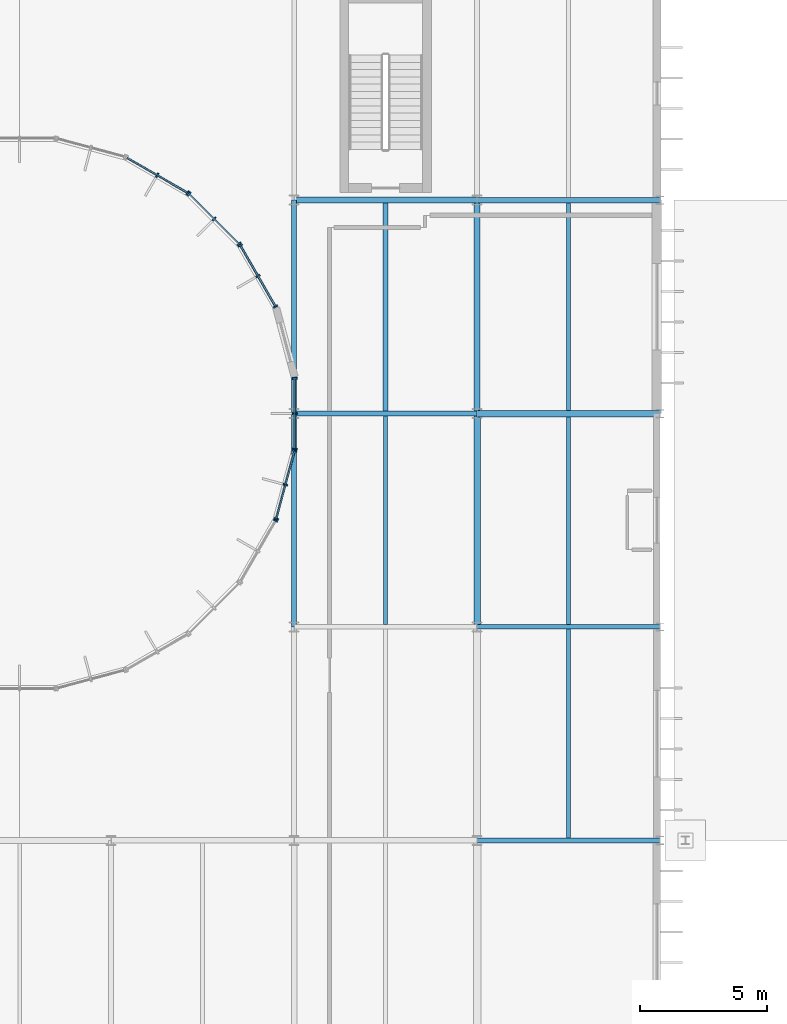
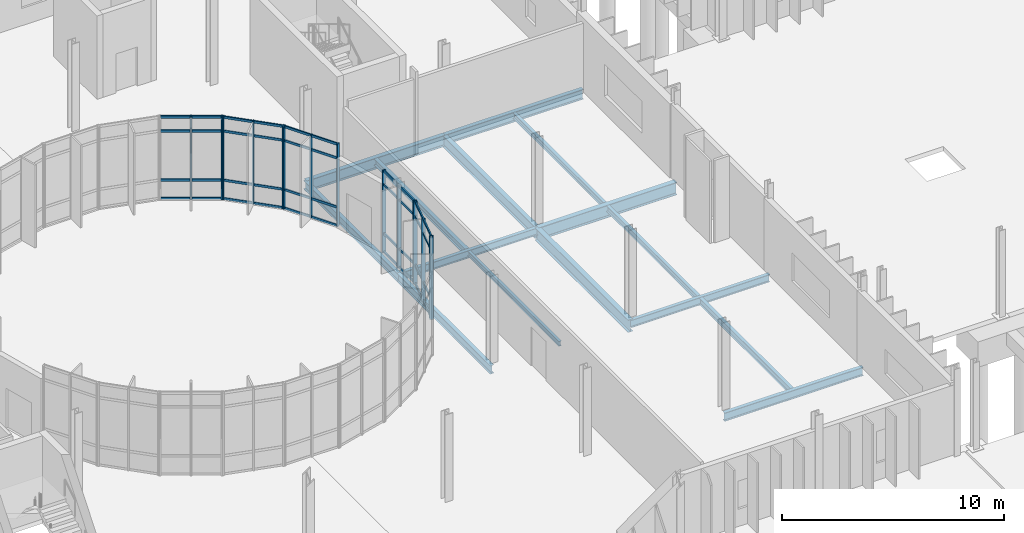
# One storey, part 42 of 118: 35 members, 15 beams, 6 elements without a shape of their own.
"""IFC4 building model written with IfcOpenShell, lengths in metres."""

from ifc_helpers import new_model, si_unit, direction, frame, origin, origin_2d, place, context, subcontext, project, spatial, rectangle, i_section, extrude, material, material_profile, profile_set, type_object, element, aggregate, save


model = new_model("IFC4")

# Units and contexts
model_context = context("Model", 3, precision=1e-05, world=origin(), true_north=direction((0.0, 1.0)))
body_context = subcontext(model_context, "Body", "Model", "MODEL_VIEW")
ifc_project = project(units=[si_unit("LENGTHUNIT", "METRE"), si_unit("AREAUNIT", "SQUARE_METRE"), si_unit("VOLUMEUNIT", "CUBIC_METRE"), si_unit("PLANEANGLEUNIT", "RADIAN"), si_unit("MASSUNIT", "GRAM", prefix="KILO")], contexts=[model_context])

# Site, building, storey
site_placement = place(None, origin())
site = spatial("IfcSite", under=ifc_project, at=site_placement, CompositionType="ELEMENT")
building_placement = place(site_placement, origin())
building = spatial("IfcBuilding", under=site, at=building_placement, Name="Qelthora Terrace Specialist Clinic", CompositionType="ELEMENT")
storey_placement = place(building_placement, origin())
storey = spatial("IfcBuildingStorey", under=building, at=storey_placement, Name="L00", CompositionType="ELEMENT", Elevation=0.0)

# Beams
ifc_material_1 = material(Name="Steel S355", Category="steel")
ifc_material_profile_1 = material_profile(ifc_material_1, i_section(OverallWidth=0.178955078125, OverallDepth=0.409912109375, WebThickness=0.0087890625, FlangeThickness=0.014404296875, FilletRadius=0.011962890625, at=origin_2d()), Name="W410X67")
ifc_profile_set_1 = profile_set([ifc_material_profile_1], Name="Steel S355")
beam_type_1 = type_object("IfcBeamType", Name="BM-W410X67", PredefinedType="BEAM", material=ifc_profile_set_1)
beam_1_placement = place(storey_placement, frame((36.0, 84.0, -0.455078125), z_axis=(1.0, 0.0, 0.0), x_axis=(0.0, 1.0, 0.0)))
element("IfcBeam", 1, at=beam_1_placement, inside=storey, type_object=beam_type_1, Name="Girder BMX-L00-0056", PredefinedType="BEAM", context=body_context, shape_type="SweptSolid", body=[
    extrude(i_section(OverallWidth=0.178955078125, OverallDepth=0.409912109375, WebThickness=0.0087890625, FlangeThickness=0.014404296875, FilletRadius=0.011962890625, at=origin_2d()), origin(), (0.0, 0.0, 1.0), 7.199951171875),
])
ifc_material_profile_2 = material_profile(ifc_material_1, i_section(OverallWidth=0.179931640625, OverallDepth=0.4130859375, WebThickness=0.009765625, FlangeThickness=0.01611328125, FilletRadius=0.011962890625, at=origin_2d()), Name="W410X75")
ifc_profile_set_2 = profile_set([ifc_material_profile_2], Name="Steel S355")
beam_type_2 = type_object("IfcBeamType", Name="BM-W410X75", PredefinedType="BEAM", material=ifc_profile_set_2)
beam_2_placement = place(storey_placement, frame((43.199951171875, 75.60009765625, -0.45654296875), z_axis=(1.0, 0.0, 0.0), x_axis=(0.0, 1.0, 0.0)))
element("IfcBeam", 2, at=beam_2_placement, inside=storey, type_object=beam_type_2, Name="Girder BMX-L00-0053", PredefinedType="BEAM", context=body_context, shape_type="SweptSolid", body=[
    extrude(i_section(OverallWidth=0.179931640625, OverallDepth=0.4130859375, WebThickness=0.009765625, FlangeThickness=0.01611328125, FilletRadius=0.011962890625, at=origin_2d()), origin(), (0.0, 0.0, 1.0), 7.199951171875),
])
ifc_material_profile_3 = material_profile(ifc_material_1, i_section(OverallWidth=0.19091796875, OverallDepth=0.4599609375, WebThickness=0.010009765625, FlangeThickness=0.01611328125, FilletRadius=0.012939453125, at=origin_2d()), Name="W460X82")
ifc_profile_set_3 = profile_set([ifc_material_profile_3], Name="Steel S355")
beam_type_3 = type_object("IfcBeamType", Name="BM-W460X82", PredefinedType="BEAM", material=ifc_profile_set_3)
beam_3_placement = place(storey_placement, frame((36.0, 84.0, -0.47998046875), z_axis=(0.0, 1.0, 0.0), x_axis=(-1.0, 0.0, 0.0)))
element("IfcBeam", 3, at=beam_3_placement, inside=storey, type_object=beam_type_3, Name="Girder BMY-L00-0118", PredefinedType="BEAM", context=body_context, shape_type="SweptSolid", body=[
    extrude(i_section(OverallWidth=0.19091796875, OverallDepth=0.4599609375, WebThickness=0.010009765625, FlangeThickness=0.01611328125, FilletRadius=0.012939453125, at=origin_2d()), origin(), (0.0, 0.0, 1.0), 8.39990234375),
])
ifc_material_profile_4 = material_profile(ifc_material_1, i_section(OverallWidth=0.193115234375, OverallDepth=0.466064453125, WebThickness=0.011474609375, FlangeThickness=0.01904296875, FilletRadius=0.012939453125, at=origin_2d()), Name="W460X97")
ifc_profile_set_4 = profile_set([ifc_material_profile_4], Name="Steel S355")
beam_type_4 = type_object("IfcBeamType", Name="BM-W460X97", PredefinedType="BEAM", material=ifc_profile_set_4)
beam_4_placement = place(storey_placement, frame((43.199951171875, 67.199951171875, -0.48291015625), z_axis=(1.0, 0.0, 0.0), x_axis=(0.0, 1.0, 0.0)))
element("IfcBeam", 4, at=beam_4_placement, inside=storey, type_object=beam_type_4, Name="Girder BMX-L00-0049", PredefinedType="BEAM", context=body_context, shape_type="SweptSolid", body=[
    extrude(i_section(OverallWidth=0.193115234375, OverallDepth=0.466064453125, WebThickness=0.011474609375, FlangeThickness=0.01904296875, FilletRadius=0.012939453125, at=origin_2d()), origin(), (0.0, 0.0, 1.0), 7.199951171875),
])
beam_5_placement = place(storey_placement, frame((36.0, 75.60009765625, -0.48291015625), z_axis=(0.0, 1.0, 0.0), x_axis=(-1.0, 0.0, 0.0)))
element("IfcBeam", 5, at=beam_5_placement, inside=storey, type_object=beam_type_4, Name="Girder BMY-L00-0117", PredefinedType="BEAM", context=body_context, shape_type="SweptSolid", body=[
    extrude(i_section(OverallWidth=0.193115234375, OverallDepth=0.466064453125, WebThickness=0.011474609375, FlangeThickness=0.01904296875, FilletRadius=0.012939453125, at=origin_2d()), origin(), (0.0, 0.0, 1.0), 8.39990234375),
])
ifc_material_profile_5 = material_profile(ifc_material_1, i_section(OverallWidth=0.2119140625, OverallDepth=0.5439453125, WebThickness=0.01318359375, FlangeThickness=0.021240234375, FilletRadius=0.013916015625, at=origin_2d()), Name="W530X123")
ifc_profile_set_5 = profile_set([ifc_material_profile_5], Name="Steel S355")
beam_type_5 = type_object("IfcBeamType", Name="BM-W530X123", PredefinedType="BEAM", material=ifc_profile_set_5)
beam_6_placement = place(storey_placement, frame((43.199951171875, 92.39990234375, -0.52197265625), z_axis=(1.0, 0.0, 0.0), x_axis=(0.0, 1.0, 0.0)))
element("IfcBeam", 6, at=beam_6_placement, inside=storey, type_object=beam_type_5, Name="Girder BMX-L00-0061", PredefinedType="BEAM", context=body_context, shape_type="SweptSolid", body=[
    extrude(i_section(OverallWidth=0.2119140625, OverallDepth=0.5439453125, WebThickness=0.01318359375, FlangeThickness=0.021240234375, FilletRadius=0.013916015625, at=origin_2d()), origin(), (0.0, 0.0, 1.0), 7.199951171875),
])
ifc_material_profile_6 = material_profile(ifc_material_1, i_section(OverallWidth=0.22900390625, OverallDepth=0.612060546875, WebThickness=0.011962890625, FlangeThickness=0.01953125, FilletRadius=0.01611328125, at=origin_2d()), Name="W610X125")
ifc_profile_set_6 = profile_set([ifc_material_profile_6], Name="Steel S355")
beam_type_6 = type_object("IfcBeamType", Name="BM-W610X125", PredefinedType="BEAM", material=ifc_profile_set_6)
beam_7_placement = place(storey_placement, frame((36.0, 92.39990234375, -0.555908203125), z_axis=(1.0, 0.0, 0.0), x_axis=(0.0, 1.0, 0.0)))
element("IfcBeam", 7, at=beam_7_placement, inside=storey, type_object=beam_type_6, Name="Girder BMX-L00-0060", PredefinedType="BEAM", context=body_context, shape_type="SweptSolid", body=[
    extrude(i_section(OverallWidth=0.22900390625, OverallDepth=0.612060546875, WebThickness=0.011962890625, FlangeThickness=0.01953125, FilletRadius=0.01611328125, at=origin_2d()), origin(), (0.0, 0.0, 1.0), 7.199951171875),
])
ifc_material_profile_7 = material_profile(ifc_material_1, i_section(OverallWidth=0.22998046875, OverallDepth=0.616943359375, WebThickness=0.01318359375, FlangeThickness=0.022216796875, FilletRadius=0.01611328125, at=origin_2d()), Name="W610X140")
ifc_profile_set_7 = profile_set([ifc_material_profile_7], Name="Steel S355")
beam_type_7 = type_object("IfcBeamType", Name="BM-W610X140", PredefinedType="BEAM", material=ifc_profile_set_7)
beam_8_placement = place(storey_placement, frame((43.199951171875, 84.0, -0.55859375), z_axis=(0.0, 1.0, 0.0), x_axis=(-1.0, 0.0, 0.0)))
element("IfcBeam", 8, at=beam_8_placement, inside=storey, type_object=beam_type_7, Name="Girder BMY-L00-0124", PredefinedType="BEAM", context=body_context, shape_type="SweptSolid", body=[
    extrude(i_section(OverallWidth=0.22998046875, OverallDepth=0.616943359375, WebThickness=0.01318359375, FlangeThickness=0.022216796875, FilletRadius=0.01611328125, at=origin_2d()), origin(), (0.0, 0.0, 1.0), 8.39990234375),
])
ifc_material_profile_8 = material_profile(ifc_material_1, i_section(OverallWidth=0.256103515625, OverallDepth=0.693115234375, WebThickness=0.014404296875, FlangeThickness=0.023681640625, FilletRadius=0.01806640625, at=origin_2d()), Name="W690X170")
ifc_profile_set_8 = profile_set([ifc_material_profile_8], Name="Steel S355")
beam_type_8 = type_object("IfcBeamType", Name="BM-W690X170", PredefinedType="BEAM", material=ifc_profile_set_8)
beam_9_placement = place(storey_placement, frame((43.199951171875, 84.0, -0.596435546875), z_axis=(1.0, 0.0, 0.0), x_axis=(0.0, 1.0, 0.0)))
element("IfcBeam", 9, at=beam_9_placement, inside=storey, type_object=beam_type_8, Name="Girder BMX-L00-0057", PredefinedType="BEAM", context=body_context, shape_type="SweptSolid", body=[
    extrude(i_section(OverallWidth=0.256103515625, OverallDepth=0.693115234375, WebThickness=0.014404296875, FlangeThickness=0.023681640625, FilletRadius=0.01806640625, at=origin_2d()), origin(), (0.0, 0.0, 1.0), 7.199951171875),
])
beam_10_placement = place(storey_placement, frame((43.199951171875, 75.60009765625, -0.596435546875), z_axis=(0.0, 1.0, 0.0), x_axis=(-1.0, 0.0, 0.0)))
element("IfcBeam", 10, at=beam_10_placement, inside=storey, type_object=beam_type_8, Name="Girder BMY-L00-0123", PredefinedType="BEAM", context=body_context, shape_type="SweptSolid", body=[
    extrude(i_section(OverallWidth=0.256103515625, OverallDepth=0.693115234375, WebThickness=0.014404296875, FlangeThickness=0.023681640625, FilletRadius=0.01806640625, at=origin_2d()), origin(), (0.0, 0.0, 1.0), 8.39990234375),
])

# Curtain wall, members
ifc_material_2 = material(Name="Aluminium anodized bronze", Category="aluminium")
curtain_wall_type = type_object("IfcCurtainWallType", Name="CW-CRTW-L00", PredefinedType="NOTDEFINED", material=ifc_material_2)
curtain_wall_1_placement = place(storey_placement, origin())
curtain_wall_1 = element("IfcCurtainWall", 11, at=curtain_wall_1_placement, inside=storey, type_object=curtain_wall_type, Name="Curtain wall CW-CW-L00-02", PredefinedType="NOTDEFINED")
ifc_material_profile_9 = material_profile(ifc_material_2, rectangle(XDim=0.06494140625, YDim=0.179931640625, at=origin_2d()), Name="CWM65X180")
ifc_profile_set_9 = profile_set([ifc_material_profile_9], Name="Aluminium anodized bronze")
member_type_1 = type_object("IfcMemberType", Name="CWM-65X180", PredefinedType="MULLION", material=ifc_profile_set_9)
member_1_placement = place(storey_placement, frame((35.271728515625, 88.210205078125, 0.0), z_axis=(0.0, 0.0, 1.0), x_axis=(-0.499999597971, 0.866025635896, 0.0)))
member_1 = element("IfcMember", 12, at=member_1_placement, type_object=member_type_1, Name="CW-CW-L00-02 mullion 1", PredefinedType="MULLION", context=body_context, shape_type="SweptSolid", body=[
    extrude(rectangle(XDim=0.06494140625, YDim=0.179931640625, at=origin_2d()), origin(), (0.0, 0.0, 1.0), 4.544921875),
])
member_2_placement = place(storey_placement, frame((34.576904296875, 89.413818359375, 0.0), z_axis=(0.0, 0.0, 1.0), x_axis=(-0.499999597971, 0.866025635896, 0.0)))
member_2 = element("IfcMember", 13, at=member_2_placement, type_object=member_type_1, Name="CW-CW-L00-02 mullion 2", PredefinedType="MULLION", context=body_context, shape_type="SweptSolid", body=[
    extrude(rectangle(XDim=0.06494140625, YDim=0.179931640625, at=origin_2d()), origin(), (0.0, 0.0, 1.0), 4.544921875),
])
member_3_placement = place(storey_placement, frame((33.882080078125, 90.6171875, 0.0), z_axis=(0.0, 0.0, 1.0), x_axis=(-0.499999597971, 0.866025635896, 0.0)))
member_3 = element("IfcMember", 14, at=member_3_placement, type_object=member_type_1, Name="CW-CW-L00-02 mullion 3", PredefinedType="MULLION", context=body_context, shape_type="SweptSolid", body=[
    extrude(rectangle(XDim=0.06494140625, YDim=0.179931640625, at=origin_2d()), origin(), (0.0, 0.0, 1.0), 4.544921875),
])

curtain_wall_2_placement = place(storey_placement, origin())
curtain_wall_2 = element("IfcCurtainWall", 15, at=curtain_wall_2_placement, inside=storey, type_object=curtain_wall_type, Name="Curtain wall CW-CW-L00-03", PredefinedType="NOTDEFINED")
member_4_placement = place(storey_placement, frame((33.8388671875, 90.673583984375, 0.0), z_axis=(0.0, 0.0, 1.0), x_axis=(-0.707106781187, 0.707106781187, 0.0)))
member_4 = element("IfcMember", 16, at=member_4_placement, type_object=member_type_1, Name="CW-CW-L00-03 mullion 1", PredefinedType="MULLION", context=body_context, shape_type="SweptSolid", body=[
    extrude(rectangle(XDim=0.06494140625, YDim=0.179931640625, at=origin_2d()), origin(), (0.0, 0.0, 1.0), 4.544921875),
])
member_5_placement = place(storey_placement, frame((32.856201171875, 91.65625, 0.0), z_axis=(0.0, 0.0, 1.0), x_axis=(-0.707106781187, 0.707106781187, 0.0)))
member_5 = element("IfcMember", 17, at=member_5_placement, type_object=member_type_1, Name="CW-CW-L00-03 mullion 2", PredefinedType="MULLION", context=body_context, shape_type="SweptSolid", body=[
    extrude(rectangle(XDim=0.06494140625, YDim=0.179931640625, at=origin_2d()), origin(), (0.0, 0.0, 1.0), 4.544921875),
])
member_6_placement = place(storey_placement, frame((31.87353515625, 92.638916015625, 0.0), z_axis=(0.0, 0.0, 1.0), x_axis=(-0.707106781187, 0.707106781187, 0.0)))
member_6 = element("IfcMember", 18, at=member_6_placement, type_object=member_type_1, Name="CW-CW-L00-03 mullion 3", PredefinedType="MULLION", context=body_context, shape_type="SweptSolid", body=[
    extrude(rectangle(XDim=0.06494140625, YDim=0.179931640625, at=origin_2d()), origin(), (0.0, 0.0, 1.0), 4.544921875),
])

curtain_wall_3_placement = place(storey_placement, origin())
curtain_wall_3 = element("IfcCurtainWall", 19, at=curtain_wall_3_placement, inside=storey, type_object=curtain_wall_type, Name="Curtain wall CW-CW-L00-04", PredefinedType="NOTDEFINED")
member_7_placement = place(storey_placement, frame((31.8173828125, 92.68212890625, 0.0), z_axis=(0.0, 0.0, 1.0), x_axis=(-0.866025635896, 0.499999597971, 0.0)))
member_7 = element("IfcMember", 20, at=member_7_placement, type_object=member_type_1, Name="CW-CW-L00-04 mullion 1", PredefinedType="MULLION", context=body_context, shape_type="SweptSolid", body=[
    extrude(rectangle(XDim=0.06494140625, YDim=0.179931640625, at=origin_2d()), origin(), (0.0, 0.0, 1.0), 4.544921875),
])
member_8_placement = place(storey_placement, frame((30.61376953125, 93.376953125, 0.0), z_axis=(0.0, 0.0, 1.0), x_axis=(-0.866025635896, 0.499999597971, 0.0)))
member_8 = element("IfcMember", 21, at=member_8_placement, type_object=member_type_1, Name="CW-CW-L00-04 mullion 2", PredefinedType="MULLION", context=body_context, shape_type="SweptSolid", body=[
    extrude(rectangle(XDim=0.06494140625, YDim=0.179931640625, at=origin_2d()), origin(), (0.0, 0.0, 1.0), 4.544921875),
])

# Curtain wall, member
curtain_wall_4_placement = place(storey_placement, origin())
curtain_wall_4 = element("IfcCurtainWall", 22, at=curtain_wall_4_placement, inside=storey, type_object=curtain_wall_type, Name="Curtain wall CW-CW-L00-22", PredefinedType="NOTDEFINED")
member_9_placement = place(storey_placement, frame((35.271728515625, 79.789794921875, 0.0), z_axis=(0.0, 0.0, 1.0), x_axis=(0.499999597971, 0.866025635896, 0.0)))
member_9 = element("IfcMember", 23, at=member_9_placement, type_object=member_type_1, Name="CW-CW-L00-22 mullion 3", PredefinedType="MULLION", context=body_context, shape_type="SweptSolid", body=[
    extrude(rectangle(XDim=0.06494140625, YDim=0.179931640625, at=origin_2d()), origin(), (0.0, 0.0, 1.0), 4.544921875),
])
aggregate(curtain_wall_4, [member_9])

# Curtain wall, members
curtain_wall_5_placement = place(storey_placement, origin())
curtain_wall_5 = element("IfcCurtainWall", 24, at=curtain_wall_5_placement, inside=storey, type_object=curtain_wall_type, Name="Curtain wall CW-CW-L00-23", PredefinedType="NOTDEFINED")
member_10_placement = place(storey_placement, frame((35.299072265625, 79.855224609375, 0.0), z_axis=(0.0, 0.0, 1.0), x_axis=(0.258820356987, 0.96592547477, 0.0)))
member_10 = element("IfcMember", 25, at=member_10_placement, type_object=member_type_1, Name="CW-CW-L00-23 mullion 1", PredefinedType="MULLION", context=body_context, shape_type="SweptSolid", body=[
    extrude(rectangle(XDim=0.06494140625, YDim=0.179931640625, at=origin_2d()), origin(), (0.0, 0.0, 1.0), 4.544921875),
])
member_11_placement = place(storey_placement, frame((35.65869140625, 81.197509765625, 0.0), z_axis=(0.0, 0.0, 1.0), x_axis=(0.258820356987, 0.96592547477, 0.0)))
member_11 = element("IfcMember", 26, at=member_11_placement, type_object=member_type_1, Name="CW-CW-L00-23 mullion 2", PredefinedType="MULLION", context=body_context, shape_type="SweptSolid", body=[
    extrude(rectangle(XDim=0.06494140625, YDim=0.179931640625, at=origin_2d()), origin(), (0.0, 0.0, 1.0), 4.544921875),
])
member_12_placement = place(storey_placement, frame((36.018310546875, 82.5400390625, 0.0), z_axis=(0.0, 0.0, 1.0), x_axis=(0.258820356987, 0.96592547477, 0.0)))
member_12 = element("IfcMember", 27, at=member_12_placement, type_object=member_type_1, Name="CW-CW-L00-23 mullion 3", PredefinedType="MULLION", context=body_context, shape_type="SweptSolid", body=[
    extrude(rectangle(XDim=0.06494140625, YDim=0.179931640625, at=origin_2d()), origin(), (0.0, 0.0, 1.0), 4.544921875),
])

curtain_wall_6_placement = place(storey_placement, origin())
curtain_wall_6 = element("IfcCurtainWall", 28, at=curtain_wall_6_placement, inside=storey, type_object=curtain_wall_type, Name="Curtain wall CW-CW-L00-24", PredefinedType="NOTDEFINED")
member_13_placement = place(storey_placement, frame((36.027587890625, 82.6103515625, 0.0), z_axis=(0.0, 0.0, 1.0), x_axis=(0.0, 1.0, 0.0)))
member_13 = element("IfcMember", 29, at=member_13_placement, type_object=member_type_1, Name="CW-CW-L00-24 mullion 1", PredefinedType="MULLION", context=body_context, shape_type="SweptSolid", body=[
    extrude(rectangle(XDim=0.06494140625, YDim=0.179931640625, at=origin_2d()), origin(), (0.0, 0.0, 1.0), 4.544921875),
])
member_14_placement = place(storey_placement, frame((36.027587890625, 84.0, 0.0), z_axis=(0.0, 0.0, 1.0), x_axis=(0.0, 1.0, 0.0)))
member_14 = element("IfcMember", 30, at=member_14_placement, type_object=member_type_1, Name="CW-CW-L00-24 mullion 2", PredefinedType="MULLION", context=body_context, shape_type="SweptSolid", body=[
    extrude(rectangle(XDim=0.06494140625, YDim=0.179931640625, at=origin_2d()), origin(), (0.0, 0.0, 1.0), 4.544921875),
])
member_15_placement = place(storey_placement, frame((36.027587890625, 85.3896484375, 0.0), z_axis=(0.0, 0.0, 1.0), x_axis=(0.0, 1.0, 0.0)))
member_15 = element("IfcMember", 31, at=member_15_placement, type_object=member_type_1, Name="CW-CW-L00-24 mullion 3", PredefinedType="MULLION", context=body_context, shape_type="SweptSolid", body=[
    extrude(rectangle(XDim=0.06494140625, YDim=0.179931640625, at=origin_2d()), origin(), (0.0, 0.0, 1.0), 4.544921875),
])

# Member
ifc_material_profile_10 = material_profile(ifc_material_2, rectangle(XDim=0.06494140625, YDim=0.1298828125, at=origin_2d()), Name="CWT65X130")
ifc_profile_set_10 = profile_set([ifc_material_profile_10], Name="Aluminium anodized bronze")
member_type_2 = type_object("IfcMemberType", Name="CWT-65X130", PredefinedType="USERDEFINED", material=ifc_profile_set_10)
member_16_placement = place(storey_placement, frame((35.26171875, 88.2275390625, 0.0400390625), z_axis=(-0.499953886166, 0.866052025982, 0.0), x_axis=(-0.866052025982, -0.499953886166, 0.0)))
member_16 = element("IfcMember", 32, at=member_16_placement, type_object=member_type_2, Name="CW-CW-L00-02 transom 1", ObjectType="TRANSOM", PredefinedType="USERDEFINED", context=body_context, shape_type="SweptSolid", body=[
    extrude(rectangle(XDim=0.06494140625, YDim=0.1298828125, at=origin_2d()), origin(), (0.0, 0.0, 1.0), 2.739501953125),
])

member_17_placement = place(storey_placement, frame((35.26171875, 88.2275390625, 1.050048828125), z_axis=(-0.499953886166, 0.866052025982, 0.0), x_axis=(-0.866052025982, -0.499953886166, 0.0)))
member_17 = element("IfcMember", 33, at=member_17_placement, type_object=member_type_2, Name="CW-CW-L00-02 transom 2", ObjectType="TRANSOM", PredefinedType="USERDEFINED", context=body_context, shape_type="SweptSolid", body=[
    extrude(rectangle(XDim=0.06494140625, YDim=0.1298828125, at=origin_2d()), origin(), (0.0, 0.0, 1.0), 2.739501953125),
])

member_18_placement = place(storey_placement, frame((35.26171875, 88.2275390625, 3.7451171875), z_axis=(-0.499953886166, 0.866052025982, 0.0), x_axis=(-0.866052025982, -0.499953886166, 0.0)))
member_18 = element("IfcMember", 34, at=member_18_placement, type_object=member_type_2, Name="CW-CW-L00-02 transom 3", ObjectType="TRANSOM", PredefinedType="USERDEFINED", context=body_context, shape_type="SweptSolid", body=[
    extrude(rectangle(XDim=0.06494140625, YDim=0.1298828125, at=origin_2d()), origin(), (0.0, 0.0, 1.0), 2.739501953125),
])

member_19_placement = place(storey_placement, frame((35.26171875, 88.2275390625, 4.5048828125), z_axis=(-0.499953886166, 0.866052025982, 0.0), x_axis=(-0.866052025982, -0.499953886166, 0.0)))
member_19 = element("IfcMember", 35, at=member_19_placement, type_object=member_type_2, Name="CW-CW-L00-02 transom 4", ObjectType="TRANSOM", PredefinedType="USERDEFINED", context=body_context, shape_type="SweptSolid", body=[
    extrude(rectangle(XDim=0.06494140625, YDim=0.1298828125, at=origin_2d()), origin(), (0.0, 0.0, 1.0), 2.739501953125),
])

aggregate(curtain_wall_1, [member_1, member_2, member_3, member_16, member_17, member_18, member_19])

member_20_placement = place(storey_placement, frame((33.82470703125, 90.687744140625, 0.0400390625), z_axis=(-0.707106781187, 0.707106781187, 0.0), x_axis=(-0.707106781187, -0.707106781187, 0.0)))
member_20 = element("IfcMember", 36, at=member_20_placement, type_object=member_type_2, Name="CW-CW-L00-03 transom 1", ObjectType="TRANSOM", PredefinedType="USERDEFINED", context=body_context, shape_type="SweptSolid", body=[
    extrude(rectangle(XDim=0.06494140625, YDim=0.1298828125, at=origin_2d()), origin(), (0.0, 0.0, 1.0), 2.7392578125),
])

member_21_placement = place(storey_placement, frame((33.82470703125, 90.687744140625, 1.050048828125), z_axis=(-0.707106781187, 0.707106781187, 0.0), x_axis=(-0.707106781187, -0.707106781187, 0.0)))
member_21 = element("IfcMember", 37, at=member_21_placement, type_object=member_type_2, Name="CW-CW-L00-03 transom 2", ObjectType="TRANSOM", PredefinedType="USERDEFINED", context=body_context, shape_type="SweptSolid", body=[
    extrude(rectangle(XDim=0.06494140625, YDim=0.1298828125, at=origin_2d()), origin(), (0.0, 0.0, 1.0), 2.7392578125),
])

member_22_placement = place(storey_placement, frame((33.82470703125, 90.687744140625, 3.7451171875), z_axis=(-0.707106781187, 0.707106781187, 0.0), x_axis=(-0.707106781187, -0.707106781187, 0.0)))
member_22 = element("IfcMember", 38, at=member_22_placement, type_object=member_type_2, Name="CW-CW-L00-03 transom 3", ObjectType="TRANSOM", PredefinedType="USERDEFINED", context=body_context, shape_type="SweptSolid", body=[
    extrude(rectangle(XDim=0.06494140625, YDim=0.1298828125, at=origin_2d()), origin(), (0.0, 0.0, 1.0), 2.7392578125),
])

member_23_placement = place(storey_placement, frame((33.82470703125, 90.687744140625, 4.5048828125), z_axis=(-0.707106781187, 0.707106781187, 0.0), x_axis=(-0.707106781187, -0.707106781187, 0.0)))
member_23 = element("IfcMember", 39, at=member_23_placement, type_object=member_type_2, Name="CW-CW-L00-03 transom 4", ObjectType="TRANSOM", PredefinedType="USERDEFINED", context=body_context, shape_type="SweptSolid", body=[
    extrude(rectangle(XDim=0.06494140625, YDim=0.1298828125, at=origin_2d()), origin(), (0.0, 0.0, 1.0), 2.7392578125),
])

aggregate(curtain_wall_2, [member_4, member_5, member_6, member_20, member_21, member_22, member_23])

member_24_placement = place(storey_placement, frame((31.800048828125, 92.692138671875, 0.0400390625), z_axis=(-0.866029747927, 0.499992475648, 0.0), x_axis=(-0.499992475648, -0.866029747927, 0.0)))
member_24 = element("IfcMember", 40, at=member_24_placement, type_object=member_type_2, Name="CW-CW-L00-04 transom 1", ObjectType="TRANSOM", PredefinedType="USERDEFINED", context=body_context, shape_type="SweptSolid", body=[
    extrude(rectangle(XDim=0.06494140625, YDim=0.1298828125, at=origin_2d()), origin(), (0.0, 0.0, 1.0), 2.7392578125),
])

member_25_placement = place(storey_placement, frame((31.800048828125, 92.692138671875, 1.050048828125), z_axis=(-0.866029747927, 0.499992475648, 0.0), x_axis=(-0.499992475648, -0.866029747927, 0.0)))
member_25 = element("IfcMember", 41, at=member_25_placement, type_object=member_type_2, Name="CW-CW-L00-04 transom 2", ObjectType="TRANSOM", PredefinedType="USERDEFINED", context=body_context, shape_type="SweptSolid", body=[
    extrude(rectangle(XDim=0.06494140625, YDim=0.1298828125, at=origin_2d()), origin(), (0.0, 0.0, 1.0), 2.7392578125),
])

member_26_placement = place(storey_placement, frame((31.800048828125, 92.692138671875, 3.7451171875), z_axis=(-0.866029747927, 0.499992475648, 0.0), x_axis=(-0.499992475648, -0.866029747927, 0.0)))
member_26 = element("IfcMember", 42, at=member_26_placement, type_object=member_type_2, Name="CW-CW-L00-04 transom 3", ObjectType="TRANSOM", PredefinedType="USERDEFINED", context=body_context, shape_type="SweptSolid", body=[
    extrude(rectangle(XDim=0.06494140625, YDim=0.1298828125, at=origin_2d()), origin(), (0.0, 0.0, 1.0), 2.7392578125),
])

member_27_placement = place(storey_placement, frame((31.800048828125, 92.692138671875, 4.5048828125), z_axis=(-0.866029747927, 0.499992475648, 0.0), x_axis=(-0.499992475648, -0.866029747927, 0.0)))
member_27 = element("IfcMember", 43, at=member_27_placement, type_object=member_type_2, Name="CW-CW-L00-04 transom 4", ObjectType="TRANSOM", PredefinedType="USERDEFINED", context=body_context, shape_type="SweptSolid", body=[
    extrude(rectangle(XDim=0.06494140625, YDim=0.1298828125, at=origin_2d()), origin(), (0.0, 0.0, 1.0), 2.7392578125),
])

aggregate(curtain_wall_3, [member_7, member_8, member_24, member_25, member_26, member_27])

member_28_placement = place(storey_placement, frame((35.30419921875, 79.87451171875, 0.0400390625), z_axis=(0.258816272122, 0.965926569303, 0.0), x_axis=(-0.965926569303, 0.258816272122, 0.0)))
member_28 = element("IfcMember", 44, at=member_28_placement, type_object=member_type_2, Name="CW-CW-L00-23 transom 1", ObjectType="TRANSOM", PredefinedType="USERDEFINED", context=body_context, shape_type="SweptSolid", body=[
    extrude(rectangle(XDim=0.06494140625, YDim=0.1298828125, at=origin_2d()), origin(), (0.0, 0.0, 1.0), 2.7392578125),
])

member_29_placement = place(storey_placement, frame((35.30419921875, 79.87451171875, 1.050048828125), z_axis=(0.258816272122, 0.965926569303, 0.0), x_axis=(-0.965926569303, 0.258816272122, 0.0)))
member_29 = element("IfcMember", 45, at=member_29_placement, type_object=member_type_2, Name="CW-CW-L00-23 transom 2", ObjectType="TRANSOM", PredefinedType="USERDEFINED", context=body_context, shape_type="SweptSolid", body=[
    extrude(rectangle(XDim=0.06494140625, YDim=0.1298828125, at=origin_2d()), origin(), (0.0, 0.0, 1.0), 2.7392578125),
])

member_30_placement = place(storey_placement, frame((35.30419921875, 79.87451171875, 3.7451171875), z_axis=(0.258816272122, 0.965926569303, 0.0), x_axis=(-0.965926569303, 0.258816272122, 0.0)))
member_30 = element("IfcMember", 46, at=member_30_placement, type_object=member_type_2, Name="CW-CW-L00-23 transom 3", ObjectType="TRANSOM", PredefinedType="USERDEFINED", context=body_context, shape_type="SweptSolid", body=[
    extrude(rectangle(XDim=0.06494140625, YDim=0.1298828125, at=origin_2d()), origin(), (0.0, 0.0, 1.0), 2.7392578125),
])

member_31_placement = place(storey_placement, frame((35.30419921875, 79.87451171875, 4.5048828125), z_axis=(0.258816272122, 0.965926569303, 0.0), x_axis=(-0.965926569303, 0.258816272122, 0.0)))
member_31 = element("IfcMember", 47, at=member_31_placement, type_object=member_type_2, Name="CW-CW-L00-23 transom 4", ObjectType="TRANSOM", PredefinedType="USERDEFINED", context=body_context, shape_type="SweptSolid", body=[
    extrude(rectangle(XDim=0.06494140625, YDim=0.1298828125, at=origin_2d()), origin(), (0.0, 0.0, 1.0), 2.7392578125),
])

aggregate(curtain_wall_5, [member_10, member_11, member_12, member_28, member_29, member_30, member_31])

member_32_placement = place(storey_placement, frame((36.027587890625, 82.63037109375, 0.0400390625), z_axis=(0.0, 1.0, 0.0), x_axis=(-1.0, 0.0, 0.0)))
member_32 = element("IfcMember", 48, at=member_32_placement, type_object=member_type_2, Name="CW-CW-L00-24 transom 1", ObjectType="TRANSOM", PredefinedType="USERDEFINED", context=body_context, shape_type="SweptSolid", body=[
    extrude(rectangle(XDim=0.06494140625, YDim=0.1298828125, at=origin_2d()), origin(), (0.0, 0.0, 1.0), 2.7392578125),
])

member_33_placement = place(storey_placement, frame((36.027587890625, 82.63037109375, 1.050048828125), z_axis=(0.0, 1.0, 0.0), x_axis=(-1.0, 0.0, 0.0)))
member_33 = element("IfcMember", 49, at=member_33_placement, type_object=member_type_2, Name="CW-CW-L00-24 transom 2", ObjectType="TRANSOM", PredefinedType="USERDEFINED", context=body_context, shape_type="SweptSolid", body=[
    extrude(rectangle(XDim=0.06494140625, YDim=0.1298828125, at=origin_2d()), origin(), (0.0, 0.0, 1.0), 2.7392578125),
])

member_34_placement = place(storey_placement, frame((36.027587890625, 82.63037109375, 3.7451171875), z_axis=(0.0, 1.0, 0.0), x_axis=(-1.0, 0.0, 0.0)))
member_34 = element("IfcMember", 50, at=member_34_placement, type_object=member_type_2, Name="CW-CW-L00-24 transom 3", ObjectType="TRANSOM", PredefinedType="USERDEFINED", context=body_context, shape_type="SweptSolid", body=[
    extrude(rectangle(XDim=0.06494140625, YDim=0.1298828125, at=origin_2d()), origin(), (0.0, 0.0, 1.0), 2.7392578125),
])

member_35_placement = place(storey_placement, frame((36.027587890625, 82.63037109375, 4.5048828125), z_axis=(0.0, 1.0, 0.0), x_axis=(-1.0, 0.0, 0.0)))
member_35 = element("IfcMember", 51, at=member_35_placement, type_object=member_type_2, Name="CW-CW-L00-24 transom 4", ObjectType="TRANSOM", PredefinedType="USERDEFINED", context=body_context, shape_type="SweptSolid", body=[
    extrude(rectangle(XDim=0.06494140625, YDim=0.1298828125, at=origin_2d()), origin(), (0.0, 0.0, 1.0), 2.7392578125),
])

aggregate(curtain_wall_6, [member_13, member_14, member_15, member_32, member_33, member_34, member_35])

# Beams
ifc_material_profile_11 = material_profile(ifc_material_1, i_section(OverallWidth=0.14599609375, OverallDepth=0.258056640625, WebThickness=0.006103515625, FlangeThickness=0.009033203125, FilletRadius=0.009033203125, at=origin_2d()), Name="W250X33")
ifc_profile_set_11 = profile_set([ifc_material_profile_11], Name="Steel S355")
beam_type_9 = type_object("IfcBeamType", Name="JST-W250X33", PredefinedType="JOIST", material=ifc_profile_set_11)
beam_11_placement = place(storey_placement, frame((39.60009765625, 75.689453125, -0.37890625), z_axis=(0.0, 1.0, 0.0), x_axis=(-1.0, 0.0, 0.0)))
element("IfcBeam", 52, at=beam_11_placement, inside=storey, type_object=beam_type_9, Name="Composite floor joist JST-L00-0036", PredefinedType="JOIST", context=body_context, shape_type="SweptSolid", body=[
    extrude(i_section(OverallWidth=0.14599609375, OverallDepth=0.258056640625, WebThickness=0.006103515625, FlangeThickness=0.009033203125, FilletRadius=0.009033203125, at=origin_2d()), origin(), (0.0, 0.0, 1.0), 8.220947265625),
])
ifc_material_profile_12 = material_profile(ifc_material_1, i_section(OverallWidth=0.166015625, OverallDepth=0.31298828125, WebThickness=0.006591796875, FlangeThickness=0.01123046875, FilletRadius=0.010009765625, at=origin_2d()), Name="W310X45")
ifc_profile_set_12 = profile_set([ifc_material_profile_12], Name="Steel S355")
beam_type_10 = type_object("IfcBeamType", Name="JST-W310X45", PredefinedType="JOIST", material=ifc_profile_set_12)
beam_12_placement = place(storey_placement, frame((46.800048828125, 84.1279296875, -0.406494140625), z_axis=(0.0, 1.0, 0.0), x_axis=(-1.0, 0.0, 0.0)))
element("IfcBeam", 53, at=beam_12_placement, inside=storey, type_object=beam_type_10, Name="Composite floor joist JST-L00-0040", PredefinedType="JOIST", context=body_context, shape_type="SweptSolid", body=[
    extrude(i_section(OverallWidth=0.166015625, OverallDepth=0.31298828125, WebThickness=0.006591796875, FlangeThickness=0.01123046875, FilletRadius=0.010009765625, at=origin_2d()), origin(), (0.0, 0.0, 1.0), 8.166015625),
])
ifc_material_profile_13 = material_profile(ifc_material_1, i_section(OverallWidth=0.1669921875, OverallDepth=0.31689453125, WebThickness=0.007568359375, FlangeThickness=0.01318359375, FilletRadius=0.010009765625, at=origin_2d()), Name="W310X52")
ifc_profile_set_13 = profile_set([ifc_material_profile_13], Name="Steel S355")
beam_type_11 = type_object("IfcBeamType", Name="JST-W310X52", PredefinedType="JOIST", material=ifc_profile_set_13)
beam_13_placement = place(storey_placement, frame((46.800048828125, 75.68994140625, -0.408447265625), z_axis=(0.0, 1.0, 0.0), x_axis=(-1.0, 0.0, 0.0)))
element("IfcBeam", 54, at=beam_13_placement, inside=storey, type_object=beam_type_11, Name="Composite floor joist JST-L00-0039", PredefinedType="JOIST", context=body_context, shape_type="SweptSolid", body=[
    extrude(i_section(OverallWidth=0.1669921875, OverallDepth=0.31689453125, WebThickness=0.007568359375, FlangeThickness=0.01318359375, FilletRadius=0.010009765625, at=origin_2d()), origin(), (0.0, 0.0, 1.0), 8.18212890625),
])
ifc_material_profile_14 = material_profile(ifc_material_1, i_section(OverallWidth=0.172119140625, OverallDepth=0.35791015625, WebThickness=0.0078125, FlangeThickness=0.01318359375, FilletRadius=0.010986328125, at=origin_2d()), Name="W360X57")
ifc_profile_set_14 = profile_set([ifc_material_profile_14], Name="Steel S355")
beam_type_12 = type_object("IfcBeamType", Name="JST-W360X57", PredefinedType="JOIST", material=ifc_profile_set_14)
beam_14_placement = place(storey_placement, frame((46.800048828125, 67.29638671875, -0.428955078125), z_axis=(0.0, 1.0, 0.0), x_axis=(-1.0, 0.0, 0.0)))
element("IfcBeam", 55, at=beam_14_placement, inside=storey, type_object=beam_type_12, Name="Composite floor joist JST-L00-0038", PredefinedType="JOIST", context=body_context, shape_type="SweptSolid", body=[
    extrude(i_section(OverallWidth=0.172119140625, OverallDepth=0.35791015625, WebThickness=0.0078125, FlangeThickness=0.01318359375, FilletRadius=0.010986328125, at=origin_2d()), origin(), (0.0, 0.0, 1.0), 8.213623046875),
])
ifc_material_profile_15 = material_profile(ifc_material_1, i_section(OverallWidth=0.202880859375, OverallDepth=0.346923828125, WebThickness=0.0078125, FlangeThickness=0.013427734375, FilletRadius=0.010986328125, at=origin_2d()), Name="W360X64")
ifc_profile_set_15 = profile_set([ifc_material_profile_15], Name="Steel S355")
beam_type_13 = type_object("IfcBeamType", Name="JST-W360X64", PredefinedType="JOIST", material=ifc_profile_set_15)
beam_15_placement = place(storey_placement, frame((39.60009765625, 84.089599609375, -0.423583984375), z_axis=(0.0, 1.0, 0.0), x_axis=(-1.0, 0.0, 0.0)))
element("IfcBeam", 56, at=beam_15_placement, inside=storey, type_object=beam_type_13, Name="Composite floor joist JST-L00-0037", PredefinedType="JOIST", context=body_context, shape_type="SweptSolid", body=[
    extrude(i_section(OverallWidth=0.202880859375, OverallDepth=0.346923828125, WebThickness=0.0078125, FlangeThickness=0.013427734375, FilletRadius=0.010986328125, at=origin_2d()), origin(), (0.0, 0.0, 1.0), 8.19580078125),
])

save(model, "model.ifc")
